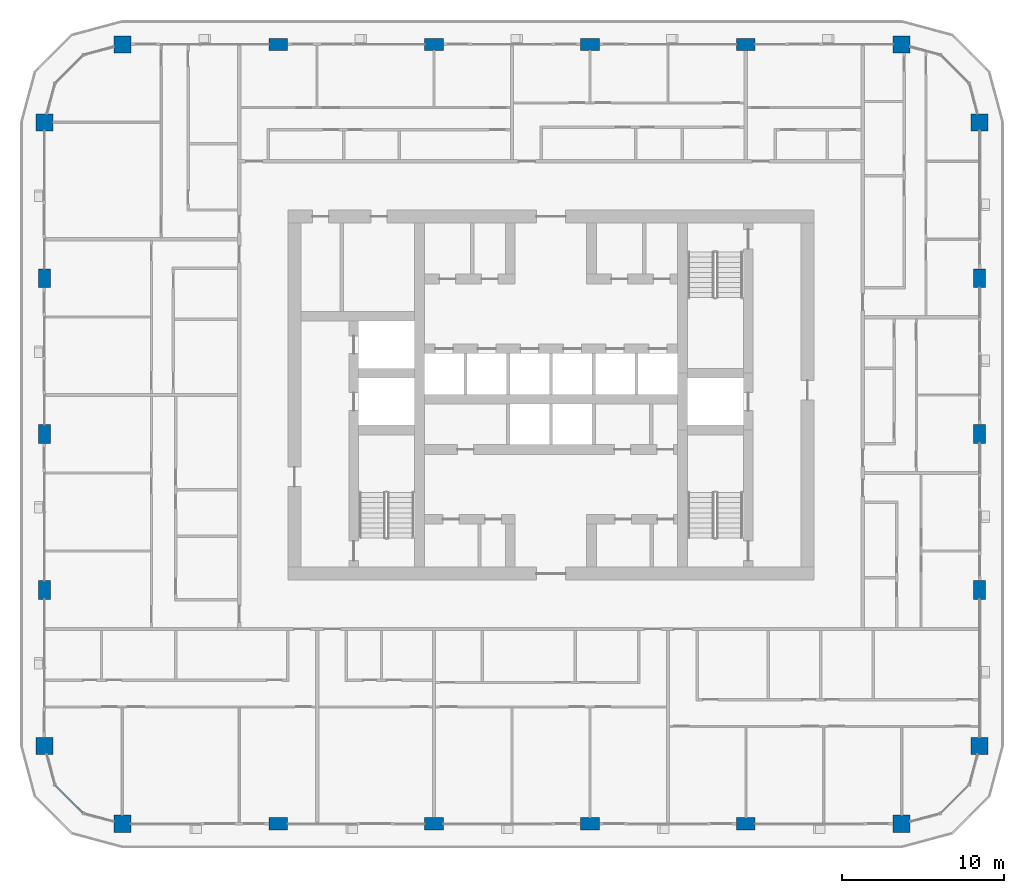
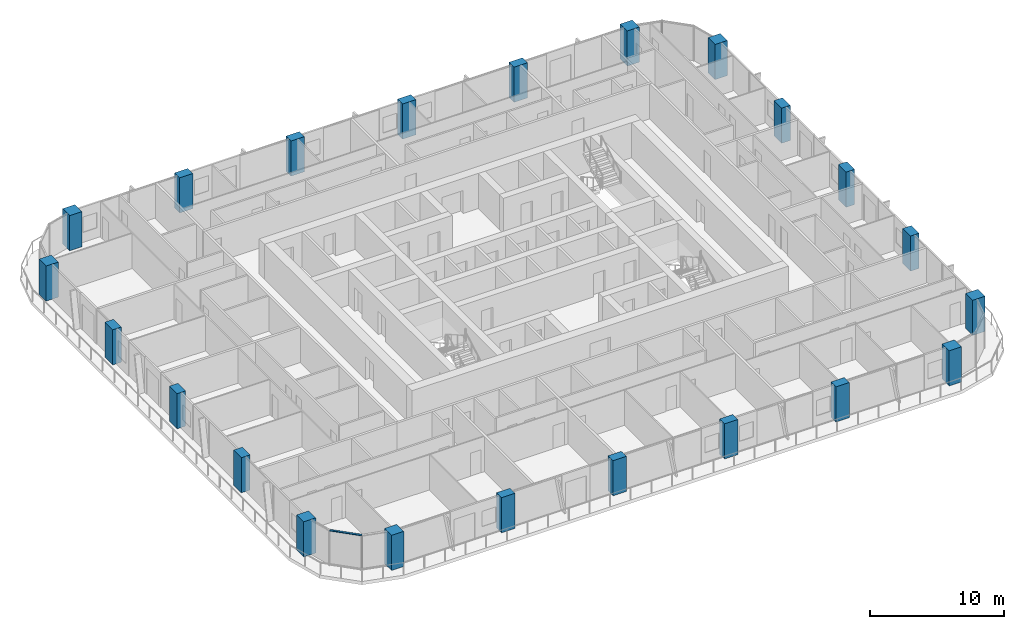
# One storey, part 1 of 22: 22 columns, 1 member, 1 element without a shape of its own.
"""IFC4 building model written with IfcOpenShell, lengths in metres."""

from ifc_helpers import new_model, si_unit, direction, frame, origin, origin_2d, place, context, subcontext, project, spatial, rectangle, extrude, material, layer, layer_set, material_profile, profile_set, type_object, element, aggregate, save


model = new_model("IFC4")

# Units and contexts
model_context = context("Model", 3, precision=1e-05, world=origin(), true_north=direction((0.0, 1.0)))
body_context = subcontext(model_context, "Body", "Model", "MODEL_VIEW")
ifc_project = project(units=[si_unit("LENGTHUNIT", "METRE"), si_unit("AREAUNIT", "SQUARE_METRE"), si_unit("VOLUMEUNIT", "CUBIC_METRE"), si_unit("PLANEANGLEUNIT", "RADIAN"), si_unit("MASSUNIT", "GRAM", prefix="KILO")], contexts=[model_context])

# Site, building, storey
site_placement = place(None, origin())
site = spatial("IfcSite", under=ifc_project, at=site_placement, CompositionType="ELEMENT")
building_placement = place(site_placement, origin())
building = spatial("IfcBuilding", under=site, at=building_placement, Name="Madar Terraces", CompositionType="ELEMENT")
storey_placement = place(building_placement, frame((0.0, 0.0, 159.5)))
storey = spatial("IfcBuildingStorey", under=building, at=storey_placement, Name="L41", CompositionType="ELEMENT", Elevation=159.5)

# Columns
ifc_material_1 = material(Name="Concrete C70/85", Category="concrete")
ifc_material_profile_1 = material_profile(ifc_material_1, rectangle(XDim=1.14990234375, YDim=0.75, at=origin_2d()), Name="CC3 RC 1150x750")
ifc_profile_set_1 = profile_set([ifc_material_profile_1], Name="Concrete C70/85")
column_type_1 = type_object("IfcColumnType", Name="CC3 RC 1150x750", PredefinedType="COLUMN", material=ifc_profile_set_1)
for number, where, z_axis, x_axis, name in (
    (1, (14.39990234375, 0.0, 0.0), (0.0, 0.0, 1.0), (1.0, 0.0, 0.0), "Perimeter column S2"),
    (2, (24.0, 0.0, 0.0), (0.0, 0.0, 1.0), (1.0, 0.0, 0.0), "Perimeter column S3"),
    (3, (33.60009765625, 0.0, 0.0), (0.0, 0.0, 1.0), (1.0, 0.0, 0.0), "Perimeter column S4"),
    (4, (43.199951171875, 0.0, 0.0), (0.0, 0.0, 1.0), (1.0, 0.0, 0.0), "Perimeter column S5"),
    (5, (57.60009765625, 14.39990234375, 0.0), (0.0, 0.0, 1.0), (0.0, 1.0, 0.0), "Perimeter column E2"),
    (6, (57.60009765625, 24.0, 0.0), (0.0, 0.0, 1.0), (0.0, 1.0, 0.0), "Perimeter column E3"),
    (7, (57.60009765625, 33.60009765625, 0.0), (0.0, 0.0, 1.0), (0.0, 1.0, 0.0), "Perimeter column E4"),
    (8, (43.199951171875, 48.0, 0.0), (0.0, 0.0, 1.0), (1.0, 0.0, 0.0), "Perimeter column N2"),
    (9, (33.60009765625, 48.0, 0.0), (0.0, 0.0, 1.0), (1.0, 0.0, 0.0), "Perimeter column N3"),
    (10, (24.0, 48.0, 0.0), (0.0, 0.0, 1.0), (1.0, 0.0, 0.0), "Perimeter column N4"),
    (11, (14.39990234375, 48.0, 0.0), (0.0, 0.0, 1.0), (1.0, 0.0, 0.0), "Perimeter column N5"),
    (12, (0.0, 33.60009765625, 0.0), (0.0, 0.0, 1.0), (0.0, 1.0, 0.0), "Perimeter column W2"),
    (13, (0.0, 24.0, 0.0), (0.0, 0.0, 1.0), (0.0, 1.0, 0.0), "Perimeter column W3"),
    (14, (0.0, 14.39990234375, 0.0), (0.0, 0.0, 1.0), (0.0, 1.0, 0.0), "Perimeter column W4"),
):
    element("IfcColumn", number, at=place(storey_placement, frame(where, z_axis=z_axis, x_axis=x_axis)), inside=storey, type_object=column_type_1, Name=name, PredefinedType="COLUMN", context=body_context, shape_type="SweptSolid", body=[
        extrude(rectangle(XDim=1.14990234375, YDim=0.75, at=origin_2d()), origin(), (0.0, 0.0, 1.0), 3.199951171875),
    ])
ifc_material_2 = material(Name="Concrete C70/85", Category="concrete")
ifc_material_profile_2 = material_profile(ifc_material_2, rectangle(XDim=1.050048828125, YDim=1.050048828125, at=origin_2d()), Name="KC3 RC 1050x1050")
ifc_profile_set_2 = profile_set([ifc_material_profile_2], Name="Concrete C70/85")
column_type_2 = type_object("IfcColumnType", Name="KC3 RC 1050x1050", PredefinedType="COLUMN", material=ifc_profile_set_2)
for number, where, z_axis, x_axis, name in (
    (15, (4.800048828125, 0.0, 0.0), (0.0, 0.0, 1.0), (1.0, 0.0, 0.0), "Perimeter column S1"),
    (16, (52.800048828125, 0.0, 0.0), (0.0, 0.0, 1.0), (1.0, 0.0, 0.0), "Perimeter column S6"),
    (17, (57.60009765625, 4.800048828125, 0.0), (0.0, 0.0, 1.0), (1.0, 0.0, 0.0), "Perimeter column E1"),
    (18, (57.60009765625, 43.199951171875, 0.0), (0.0, 0.0, 1.0), (1.0, 0.0, 0.0), "Perimeter column E5"),
    (19, (52.800048828125, 48.0, 0.0), (0.0, 0.0, 1.0), (1.0, 0.0, 0.0), "Perimeter column N1"),
    (20, (4.800048828125, 48.0, 0.0), (0.0, 0.0, 1.0), (1.0, 0.0, 0.0), "Perimeter column N6"),
    (21, (0.0, 43.199951171875, 0.0), (0.0, 0.0, 1.0), (1.0, 0.0, 0.0), "Perimeter column W1"),
    (22, (0.0, 4.800048828125, 0.0), (0.0, 0.0, 1.0), (1.0, 0.0, 0.0), "Perimeter column W5"),
):
    element("IfcColumn", number, at=place(storey_placement, frame(where, z_axis=z_axis, x_axis=x_axis)), inside=storey, type_object=column_type_2, Name=name, PredefinedType="COLUMN", context=body_context, shape_type="SweptSolid", body=[
        extrude(rectangle(XDim=1.050048828125, YDim=1.050048828125, at=origin_2d()), origin(), (0.0, 0.0, 1.0), 3.199951171875),
    ])

# Curtain wall, member
ifc_material_3 = material(Name="Glass, ceramic frit dark grey, with black aluminium frame", Category="aluminium")
ifc_layer = layer(ifc_material_3, 0.199951171875)
ifc_layer_set = layer_set([ifc_layer], Name="Facade curtain wall, fritted glass")
curtain_wall_type = type_object("IfcCurtainWallType", Name="Facade curtain wall, fritted glass", PredefinedType="NOTDEFINED", material=ifc_layer_set)
curtain_wall_placement = place(storey_placement, origin())
curtain_wall = element("IfcCurtainWall", 23, at=curtain_wall_placement, inside=storey, type_object=curtain_wall_type, Name="Outer skin curtain wall south-west corner", PredefinedType="NOTDEFINED")
ifc_material_4 = material(Name="Aluminium, black anodised", Category="aluminium")
ifc_material_profile_3 = material_profile(ifc_material_4, rectangle(XDim=0.1201171875, YDim=0.06005859375, at=origin_2d()), Name="Facade transom 60x120")
ifc_profile_set_3 = profile_set([ifc_material_profile_3], Name="Aluminium, black anodised")
member_type = type_object("IfcMemberType", Name="Facade transom 60x120", PredefinedType="USERDEFINED", material=ifc_profile_set_3)
member_placement = place(storey_placement, frame((0.664306640625, 2.37890625, 3.169921875), z_axis=(0.707106781187, -0.707106781187, 0.0), x_axis=(0.707106781187, 0.707106781187, 0.0)))
member = element("IfcMember", 24, at=member_placement, type_object=member_type, Name="Transom 2", ObjectType="TRANSOM", PredefinedType="USERDEFINED", context=body_context, shape_type="SweptSolid", body=[
    extrude(rectangle(XDim=0.1201171875, YDim=0.06005859375, at=origin_2d()), origin(), (0.0, 0.0, 1.0), 2.4248046875),
])
aggregate(curtain_wall, [member])

save(model, "model.ifc")
